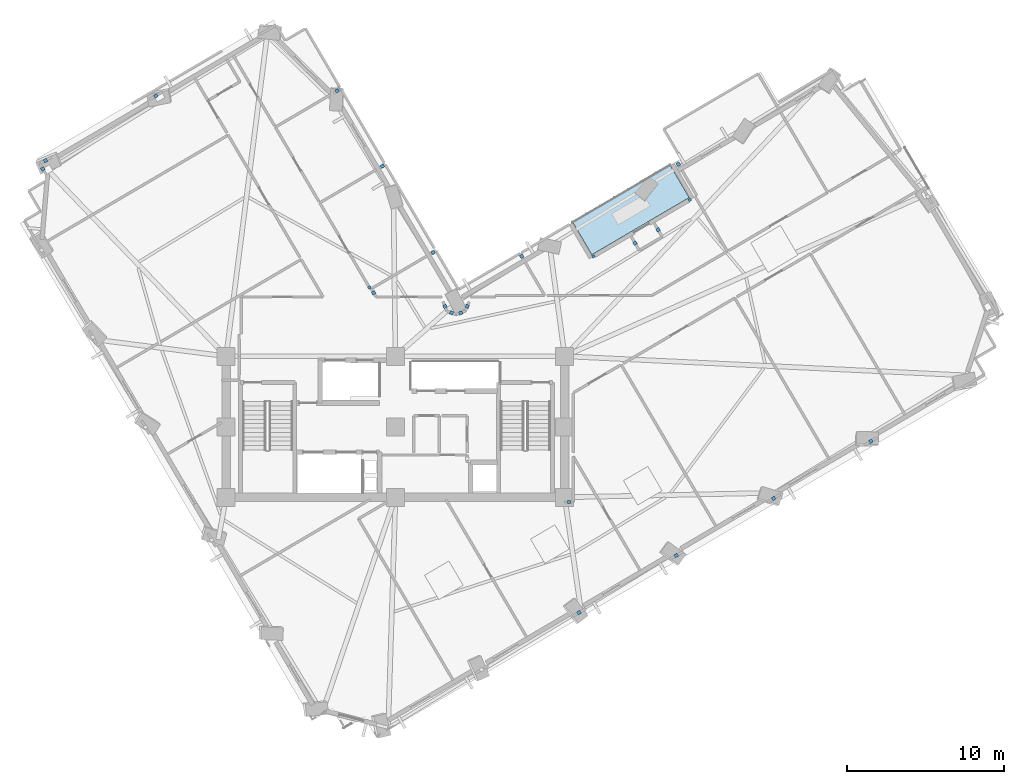
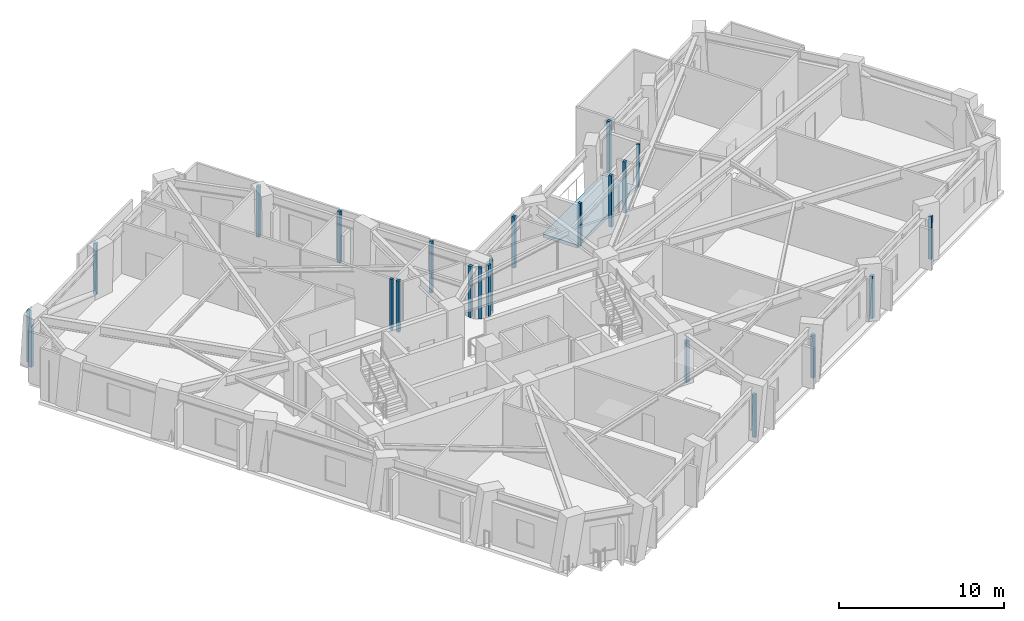
# One storey, part 3 of 12: 23 plates, 1 slab.
"""IFC4 building model written with IfcOpenShell, lengths in metres."""

import ifcopenshell
import ifcopenshell.guid

model = None  # the IFC model being written
_history = None  # IfcOwnerHistory: only IFC2X3 demands one
_inside = {}  # id of a spatial element -> (the spatial element, [elements in it])
_under = {}  # id of a project, library or spatial element -> (it, [spatial elements below it])
_declared = {}  # id of a project -> (the project, [libraries it declares])
_typed = {}  # id of a type object -> (the type object, [elements of that type])
_made_of = {}  # id of a material, layer set ... -> (it, [elements and type objects made of it])


def new_model(schema):
    """Start an empty IFC model of exactly this schema.

    Asked for "IFC4X3", IfcOpenShell would pick the latest addendum, in which some entities
    have other attributes; the version numbers below select the first issue.
    IFC2X3 requires an IfcOwnerHistory on every rooted entity: one is made here for all.
    """
    global model, _history
    if schema == "IFC4X3":
        model = ifcopenshell.file(schema_version=(4, 3, 0, 0))
    else:
        model = ifcopenshell.file(schema=schema)
    _inside.clear()
    _under.clear()
    _declared.clear()
    _typed.clear()
    _made_of.clear()
    _history = None
    if model.schema == "IFC2X3":
        org = make("IfcOrganization", Name="unknown")
        user = make(
            "IfcPersonAndOrganization",
            ThePerson=make("IfcPerson", FamilyName="unknown"),
            TheOrganization=org,
        )
        app = make(
            "IfcApplication",
            ApplicationDeveloper=org,
            Version="unknown",
            ApplicationFullName="unknown",
            ApplicationIdentifier="unknown",
        )
        _history = make(
            "IfcOwnerHistory",
            OwningUser=user,
            OwningApplication=app,
            ChangeAction="ADDED",
            CreationDate=0,
        )
    return model


def make(cls, **values):
    """One entity of the class cls with the attributes given. An attribute that is None is left unset."""
    return model.create_entity(
        cls, **{name: value for name, value in values.items() if value is not None}
    )


def rooted(cls, **values):
    """An entity with a GlobalId (a new one), such as an element, a storey or a relation."""
    return make(cls, GlobalId=ifcopenshell.guid.new(), OwnerHistory=_history, **values)


def si_unit(unit_type, name, prefix=None):
    """IfcSIUnit, for example si_unit("LENGTHUNIT", "METRE", prefix="MILLI")."""
    return make("IfcSIUnit", UnitType=unit_type, Prefix=prefix, Name=name)


def assignment(units):
    """IfcUnitAssignment: the units of a project."""
    return None if units is None else make("IfcUnitAssignment", Units=units)


def point(xyz):
    """IfcCartesianPoint."""
    return None if xyz is None else make("IfcCartesianPoint", Coordinates=xyz)


def direction(xyz):
    """IfcDirection."""
    return None if xyz is None else make("IfcDirection", DirectionRatios=xyz)


def frame(location, z_axis=None, x_axis=None):
    """IfcAxis2Placement3D, a coordinate frame: its origin and axes. An axis left out is left unset."""
    return make(
        "IfcAxis2Placement3D",
        Location=point(location),
        Axis=direction(z_axis),
        RefDirection=direction(x_axis),
    )


def frame_2d(location, x_axis=None):
    """IfcAxis2Placement2D, a coordinate frame in the plane: its origin and x axis."""
    return make(
        "IfcAxis2Placement2D", Location=point(location), RefDirection=direction(x_axis)
    )


def origin():
    """The frame at (0, 0, 0) with its axes left unset."""
    return frame((0.0, 0.0, 0.0))


def origin_2d():
    """The frame at (0, 0) in the plane with its x axis left unset."""
    return frame_2d((0.0, 0.0))


def place(relative_to, where):
    """IfcLocalPlacement: puts the frame where relative to a parent placement (None: the world)."""
    return make(
        "IfcLocalPlacement", PlacementRelTo=relative_to, RelativePlacement=where
    )


def context(
    kind, dimensions, precision=None, world=None, true_north=None, identifier=None
):
    """IfcGeometricRepresentationContext, for example the 3D "Model" context."""
    return make(
        "IfcGeometricRepresentationContext",
        ContextIdentifier=identifier,
        ContextType=kind,
        CoordinateSpaceDimension=dimensions,
        Precision=precision,
        WorldCoordinateSystem=world,
        TrueNorth=true_north,
    )


def subcontext(parent, identifier, kind, view, scale=None):
    """IfcGeometricRepresentationSubContext, for example "Body" below "Model"."""
    return make(
        "IfcGeometricRepresentationSubContext",
        ContextIdentifier=identifier,
        ContextType=kind,
        ParentContext=parent,
        TargetScale=scale,
        TargetView=view,
    )


def project(units=None, contexts=None):
    """IfcProject with its units and contexts."""
    return rooted(
        "IfcProject",
        Name="project",
        RepresentationContexts=contexts,
        UnitsInContext=assignment(units),
    )


def spatial(cls, under=None, at=None, **own):
    """A site, building, storey or space (cls), placed at a placement, below another one or the project."""
    s = rooted(cls, ObjectPlacement=at, **own)
    if under is not None:
        _under.setdefault(under.id(), (under, []))[1].append(s)
    return s


def polyline(points):
    """IfcPolyline through the points."""
    return make("IfcPolyline", Points=[point(p) for p in points])


def profile(cls, at=None, kind="AREA", **sizes):
    """A parametric profile (cls). Its sizes go by their IFC names, for example OverallWidth=200.0."""
    return make(cls, ProfileType=kind, Position=at, **sizes)


def rectangle(**sizes):
    """IfcRectangleProfileDef."""
    return profile("IfcRectangleProfileDef", **sizes)


def outline(outer, holes=None, kind="AREA"):
    """IfcArbitraryClosedProfileDef: a profile drawn as a closed curve; with holes, ...WithVoids."""
    if holes is None:
        return make("IfcArbitraryClosedProfileDef", ProfileType=kind, OuterCurve=outer)
    return make(
        "IfcArbitraryProfileDefWithVoids",
        ProfileType=kind,
        OuterCurve=outer,
        InnerCurves=holes,
    )


def extrude(swept, where, along, depth):
    """IfcExtrudedAreaSolid: the profile swept, set in the frame where, extruded along a direction by depth."""
    return make(
        "IfcExtrudedAreaSolid",
        SweptArea=swept,
        Position=where,
        ExtrudedDirection=direction(along),
        Depth=depth,
    )


def shape(context_of_items, identifier, shape_type, items):
    """IfcShapeRepresentation: the items that make up one representation, for example the "Body"."""
    return make(
        "IfcShapeRepresentation",
        ContextOfItems=context_of_items,
        RepresentationIdentifier=identifier,
        RepresentationType=shape_type,
        Items=items,
    )


def material(Name=None, Category=None):
    """IfcMaterial."""
    return make("IfcMaterial", Name=Name, Category=Category)


def layer(
    of_material, thickness, ventilated=None, Name=None, Category=None, Priority=None
):
    """IfcMaterialLayer: one layer of a wall or slab, of a material (None: an air gap)."""
    return make(
        "IfcMaterialLayer",
        Material=of_material,
        LayerThickness=thickness,
        IsVentilated=ventilated,
        Name=Name,
        Category=Category,
        Priority=Priority,
    )


def layer_set(layers, Name=None):
    """IfcMaterialLayerSet."""
    return make("IfcMaterialLayerSet", MaterialLayers=layers, LayerSetName=Name)


def made_of(thing, what):
    """Note that an element or type object is made of a material, layer set ...; save() writes the relation."""
    if what is not None:
        _made_of.setdefault(what.id(), (what, []))[1].append(thing)
    return thing


def type_object(cls, material=None, **own):
    """A type object (cls), such as IfcWallType, which elements share."""
    return made_of(rooted(cls, **own), material)


def element(
    cls,
    number,
    at=None,
    inside=None,
    cuts=None,
    type_object=None,
    material=None,
    context=None,
    identifier="Body",
    shape_type=None,
    held_by="IfcProductDefinitionShape",
    body=None,
    shapes=None,
    **own,
):
    """One element of the class cls, such as IfcWall. Its Tag is "e" and its number.

    at: its placement. inside: the storey or other place that contains it. cuts: it is an
    opening in that element (IfcRelVoidsElement). A single representation is given by context,
    identifier, shape_type and body (its items); several are given by shapes. held_by: the class
    of the entity that holds the representations. save() writes the other relations.
    """
    e = rooted(cls, Tag="e%d" % number, ObjectPlacement=at, **own)
    if body is not None:
        shapes = [shape(context, identifier, shape_type, body)]
    if shapes is not None:
        e.Representation = make(held_by, Representations=shapes)
    if inside is not None:
        _inside.setdefault(inside.id(), (inside, []))[1].append(e)
    if cuts is not None:
        rooted(
            "IfcRelVoidsElement", RelatingBuildingElement=cuts, RelatedOpeningElement=e
        )
    if type_object is not None:
        _typed.setdefault(type_object.id(), (type_object, []))[1].append(e)
    return made_of(e, material)


def aggregate(whole, parts):
    """IfcRelAggregates: a whole, such as a stair, and the parts it consists of."""
    return rooted("IfcRelAggregates", RelatingObject=whole, RelatedObjects=parts)


def save(model, path):
    """Write the relations noted so far, then the file.

    IfcRelAggregates (storeys below a building ...), IfcRelContainedInSpatialStructure (elements
    in a storey), IfcRelDefinesByType, IfcRelAssociatesMaterial and IfcRelDeclares: one each for
    every whole, place, type object, material and project.
    """
    for whole, parts in _under.values():
        aggregate(whole, parts)
    for where, things in _inside.values():
        rooted(
            "IfcRelContainedInSpatialStructure",
            RelatedElements=things,
            RelatingStructure=where,
        )
    for kind, things in _typed.values():
        rooted("IfcRelDefinesByType", RelatedObjects=things, RelatingType=kind)
    for what, things in _made_of.values():
        rooted("IfcRelAssociatesMaterial", RelatedObjects=things, RelatingMaterial=what)
    for by, libraries in _declared.values():
        rooted("IfcRelDeclares", RelatingContext=by, RelatedDefinitions=libraries)
    model.write(path)


model = new_model("IFC4")

# Units and contexts
model_context = context("Model", 3, precision=1e-05, world=origin(), true_north=direction((0.0, 1.0)))
body_context = subcontext(model_context, "Body", "Model", "MODEL_VIEW")
ifc_project = project(units=[si_unit("LENGTHUNIT", "METRE"), si_unit("AREAUNIT", "SQUARE_METRE"), si_unit("VOLUMEUNIT", "CUBIC_METRE"), si_unit("PLANEANGLEUNIT", "RADIAN"), si_unit("MASSUNIT", "GRAM", prefix="KILO")], contexts=[model_context])

# Site, building, storey
site_placement = place(None, origin())
site = spatial("IfcSite", under=ifc_project, at=site_placement, CompositionType="ELEMENT")
building_placement = place(site_placement, origin())
building = spatial("IfcBuilding", under=site, at=building_placement, Name="Gaonmaruhae Medical Tower", CompositionType="ELEMENT")
storey_placement = place(building_placement, frame((0.0, 0.0, 153.800048828125)))
storey = spatial("IfcBuildingStorey", under=building, at=storey_placement, Name="L36", CompositionType="ELEMENT", Elevation=153.800048828125)

# Plates
ifc_material_1 = material(Name="Anodised aluminium 6063-T6", Category="aluminium")
ifc_layer_1 = layer(ifc_material_1, 0.011962890625)
ifc_layer_set_1 = layer_set([ifc_layer_1], Name="Anodised aluminium 6063-T6")
plate_type = type_object("IfcPlateType", Name="PP-01 Interior Partition Corner Stiffener Plate", PredefinedType="SHEET", material=ifc_layer_set_1)
for number, where, z_axis, x_axis, name in (
    (1, (37.437744140625, 23.17919921875, 0.0), (0.0, 0.0, 1.0), (0.862513669207, 0.506033764121, 0.0), "L36 Partition End Jamb Post Plate PLT-L36-ENDP-TERB-0"),
    (2, (43.578857421875, 26.7822265625, 0.0), (0.0, 0.0, 1.0), (0.862513669207, 0.506033764121, 0.0), "L36 Partition End Jamb Post Plate PLT-L36-ENDP-TERB-1"),
):
    element("IfcPlate", number, at=place(storey_placement, frame(where, z_axis=z_axis, x_axis=x_axis)), inside=storey, type_object=plate_type, Name=name, PredefinedType="SHEET", context=body_context, shape_type="SweptSolid", body=[
        extrude(rectangle(XDim=0.179931640625, YDim=0.179931640625, at=origin_2d()), origin(), (0.0, 0.0, 1.0), 3.1650390625),
    ])
plate_1_placement = place(storey_placement, frame((23.138427734375, 21.18994140625, 0.0), z_axis=(0.0, 0.0, 1.0), x_axis=(-0.506018710341, 0.862522501031, 0.0)))
element("IfcPlate", 3, at=plate_1_placement, inside=storey, type_object=plate_type, Name="L36 Partition End Jamb Post Plate PLT-L36-ENDP-PW091-0", PredefinedType="SHEET", context=body_context, shape_type="SweptSolid", body=[
    extrude(rectangle(XDim=0.179931640625, YDim=0.179931640625, at=origin_2d()), origin(), (0.0, 0.0, 1.0), 3.780029296875),
])
plate_2_placement = place(storey_placement, frame((36.510009765625, 0.444091796875, 0.0), z_axis=(0.0, 0.0, 1.0), x_axis=(-0.862142495384, -0.506665883649, 0.0)))
element("IfcPlate", 4, at=plate_2_placement, inside=storey, type_object=plate_type, Name="L36 Partition Corner Stiffener Plate PLT-L36-JGP-PW013", PredefinedType="SHEET", context=body_context, shape_type="SweptSolid", body=[
    extrude(rectangle(XDim=0.219970703125, YDim=0.219970703125, at=origin_2d()), origin(), (0.0, 0.0, 1.0), 3.1650390625),
])
plate_3_placement = place(storey_placement, frame((35.875, 7.5, 0.0), z_axis=(0.0, 0.0, 1.0), x_axis=(1.0, 0.0, 0.0)))
element("IfcPlate", 5, at=plate_3_placement, inside=storey, type_object=plate_type, Name="L36 Partition Corner Stiffener Plate PLT-L36-JGP-PW014", PredefinedType="SHEET", context=body_context, shape_type="SweptSolid", body=[
    extrude(rectangle(XDim=0.219970703125, YDim=0.219970703125, at=origin_2d()), origin(), (0.0, 0.0, 1.0), 3.06494140625),
])
for number, where, z_axis, x_axis, name in (
    (6, (42.719970703125, 4.0869140625, 0.0), (0.0, 0.0, 1.0), (-0.86261080482, -0.505868164059, 0.0), "L36 Partition Corner Stiffener Plate PLT-L36-JGP-PW017"),
    (7, (48.929443359375, 7.73046875, 0.0), (0.0, 0.0, 1.0), (-0.862275110655, -0.506440157911, 0.0), "L36 Partition Corner Stiffener Plate PLT-L36-JGP-PW022"),
    (8, (55.139404296875, 11.3740234375, 0.0), (0.0, 0.0, 1.0), (-0.862619633753, -0.505853108583, 0.0), "L36 Partition Corner Stiffener Plate PLT-L36-JGP-PW025"),
):
    element("IfcPlate", number, at=place(storey_placement, frame(where, z_axis=z_axis, x_axis=x_axis)), inside=storey, type_object=plate_type, Name=name, PredefinedType="SHEET", context=body_context, shape_type="SweptSolid", body=[
        extrude(rectangle(XDim=0.219970703125, YDim=0.219970703125, at=origin_2d()), origin(), (0.0, 0.0, 1.0), 3.1650390625),
    ])
plate_4_placement = place(storey_placement, frame((2.298583984375, 28.7490234375, 0.0), z_axis=(0.0, 0.0, 1.0), x_axis=(-0.506033764121, 0.862513669207, 0.0)))
element("IfcPlate", 9, at=plate_4_placement, inside=storey, type_object=plate_type, Name="L36 Partition Corner Stiffener Plate PLT-L36-JGP-PW050", PredefinedType="SHEET", context=body_context, shape_type="SweptSolid", body=[
    extrude(rectangle(XDim=0.219970703125, YDim=0.219970703125, at=origin_2d()), origin(), (0.0, 0.0, 1.0), 3.06494140625),
])
for number, where, z_axis, x_axis, name in (
    (10, (2.472412109375, 29.284912109375, 0.0), (0.0, 0.0, 1.0), (0.862787333564, 0.505567025272, 0.0), "L36 Partition Corner Stiffener Plate PLT-L36-JGP-PW051"),
    (11, (9.517578125, 33.41845703125, 0.0), (0.0, 0.0, 1.0), (0.862443005157, 0.506154188815, 0.0), "L36 Partition Corner Stiffener Plate PLT-L36-JGP-PW052"),
    (12, (32.85595703125, 23.18359375, 0.0), (0.0, 0.0, 1.0), (0.506018710341, -0.862522501031, 0.0), "L36 Partition Corner Stiffener Plate PLT-L36-JGP-PW057"),
    (13, (29.383056640625, 19.985595703125, 0.0), (0.0, 0.0, 1.0), (-0.382715681611, -0.923866173777, 0.0), "L36 Partition Corner Stiffener Plate PLT-L36-JGP-PW061"),
    (14, (28.966064453125, 19.568603515625, 0.0), (0.0, 0.0, 1.0), (-0.923538533177, -0.383505642381, 0.0), "L36 Partition Corner Stiffener Plate PLT-L36-JGP-PW062"),
    (15, (28.37646484375, 19.568603515625, 0.0), (0.0, 0.0, 1.0), (-0.923310793754, 0.384053613623, 0.0), "L36 Partition Corner Stiffener Plate PLT-L36-JGP-PW063"),
    (16, (27.95947265625, 19.985595703125, 0.0), (0.0, 0.0, 1.0), (-0.384053613623, 0.923310793754, 0.0), "L36 Partition Corner Stiffener Plate PLT-L36-JGP-PW064"),
    (17, (23.410888671875, 20.843994140625, 0.0), (0.0, 0.0, 1.0), (-0.506304705806, 0.862354651451, 0.0), "L36 Partition Corner Stiffener Plate PLT-L36-JGP-PW066"),
    (18, (27.199951171875, 23.422119140625, 0.0), (0.0, 0.0, 1.0), (0.86311363458, 0.505009756145, 0.0), "L36 Partition Corner Stiffener Plate PLT-L36-JGP-PW068"),
    (19, (40.090087890625, 24.013427734375, 0.0), (0.0, 0.0, 1.0), (0.506515403681, -0.862230912131, 0.0), "L36 Partition Corner Stiffener Plate PLT-L36-JGP-PW071"),
    (20, (41.556396484375, 24.8740234375, 0.0), (0.0, 0.0, 1.0), (-0.505401372679, 0.862884379563, 0.0), "L36 Partition Corner Stiffener Plate PLT-L36-JGP-PW073"),
    (21, (42.85595703125, 29.051025390625, 0.0), (0.0, 0.0, 1.0), (-0.505009756145, 0.86311363458, 0.0), "L36 Partition Corner Stiffener Plate PLT-L36-JGP-PW083"),
    (22, (23.966552734375, 28.93310546875, 0.0), (0.0, 0.0, 1.0), (0.862522501031, 0.506018710341, 0.0), "L36 Partition Corner Stiffener Plate PLT-L36-JGP-PW093"),
    (23, (21.083984375, 33.734619140625, 0.0), (0.0, 0.0, 1.0), (0.862451839083, 0.506139136268, 0.0), "L36 Partition Corner Stiffener Plate PLT-L36-JGP-PW097"),
):
    element("IfcPlate", number, at=place(storey_placement, frame(where, z_axis=z_axis, x_axis=x_axis)), inside=storey, type_object=plate_type, Name=name, PredefinedType="SHEET", context=body_context, shape_type="SweptSolid", body=[
        extrude(rectangle(XDim=0.219970703125, YDim=0.219970703125, at=origin_2d()), origin(), (0.0, 0.0, 1.0), 3.780029296875),
    ])

# Slab
ifc_material_2 = material(Name="Concrete C40/50", Category="concrete")
ifc_layer_2 = layer(ifc_material_2, 0.239990234375)
ifc_layer_set_2 = layer_set([ifc_layer_2], Name="Concrete C40/50")
slab_type = type_object("IfcSlabType", Name="TS-240 Sky Garden & Recovery Terrace Slab", PredefinedType="FLOOR", material=ifc_layer_set_2)
slab_placement = place(storey_placement, frame((0.0, 0.0, -0.239990234375)))
element("IfcSlab", 24, at=slab_placement, inside=storey, type_object=slab_type, Name="L36 Outdoor Recovery Terrace Slab", PredefinedType="FLOOR", context=body_context, shape_type="SweptSolid", body=[
    extrude(outline(polyline([(37.33251953125, 23.27978515625), (43.54248046875, 26.923095703125), (42.328125, 28.9931640625), (36.117919921875, 25.349853515625), (37.33251953125, 23.27978515625)])), origin(), (0.0, 0.0, 1.0), 0.239990234375),
])

save(model, "model.ifc")
